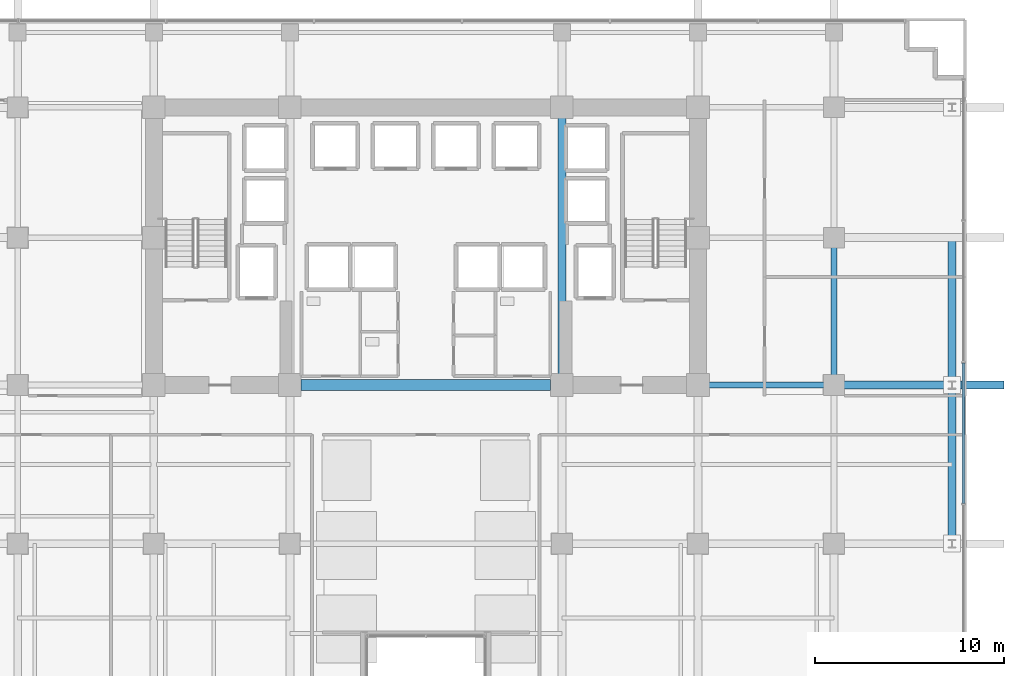
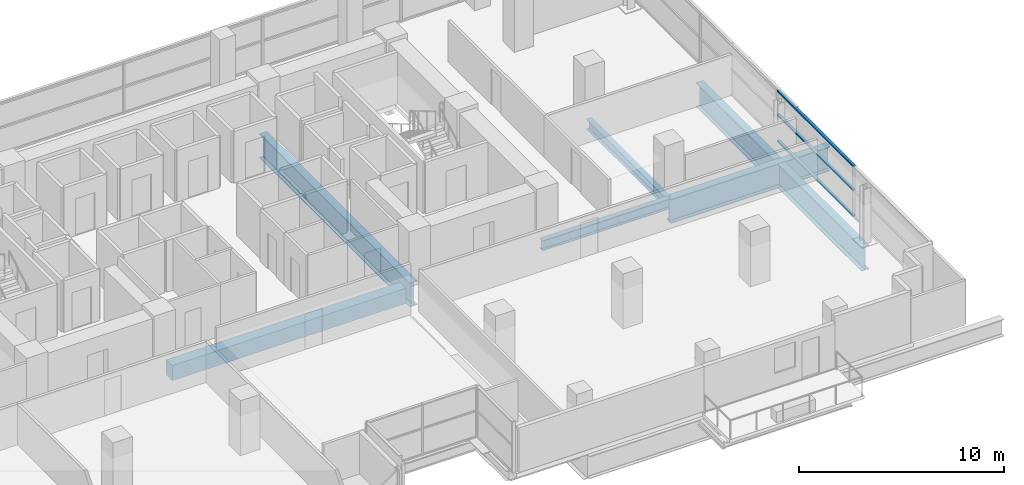
# One storey, part 14 of 32: 6 beams, 3 members, 1 element without a shape of its own.
"""IFC4 building model written with IfcOpenShell, lengths in metres."""

from ifc_helpers import new_model, si_unit, direction, frame, origin, origin_2d, place, context, subcontext, project, spatial, rectangle, hollow_rectangle, i_section, extrude, source, transform, mapped, material, layer, layer_set, material_profile, profile_set, type_object, element, aggregate, save


model = new_model("IFC4")

# Units and contexts
model_context = context("Model", 3, precision=1e-05, world=origin(), true_north=direction((0.0, 1.0)))
body_context = subcontext(model_context, "Body", "Model", "MODEL_VIEW")
ifc_project = project(units=[si_unit("LENGTHUNIT", "METRE"), si_unit("AREAUNIT", "SQUARE_METRE"), si_unit("VOLUMEUNIT", "CUBIC_METRE"), si_unit("PLANEANGLEUNIT", "RADIAN"), si_unit("MASSUNIT", "GRAM", prefix="KILO")], contexts=[model_context])

# Site, building, storey
site_placement = place(None, origin())
site = spatial("IfcSite", under=ifc_project, at=site_placement, CompositionType="ELEMENT")
building_placement = place(site_placement, origin())
building = spatial("IfcBuilding", under=site, at=building_placement, Name="Zarnakvel Exchange Tower", CompositionType="ELEMENT")
storey_placement = place(building_placement, frame((0.0, 0.0, 27.39990234375)))
storey = spatial("IfcBuildingStorey", under=building, at=storey_placement, Name="L06", CompositionType="ELEMENT", Elevation=27.39990234375)

# Beams
ifc_material_1 = material(Name="Concrete C80/95", Category="concrete")
ifc_material_profile_1 = material_profile(ifc_material_1, rectangle(XDim=0.60009765625, YDim=0.89990234375, at=origin_2d()))
ifc_profile_set_1 = profile_set([ifc_material_profile_1], Name="Concrete C80/95")
beam_type_1 = type_object("IfcBeamType", Name="CB-01", PredefinedType="LINTEL", material=ifc_profile_set_1)
beam_1_placement = place(storey_placement, frame((-6.60009765625, -1.199951171875, -0.699951171875), z_axis=(1.0, 0.0, 0.0), x_axis=(0.0, 1.0, 0.0)))
element("IfcBeam", 1, at=beam_1_placement, inside=storey, type_object=beam_type_1, Name="L06 Rear Core South Coupling Beam (CB-01)", PredefinedType="LINTEL", context=body_context, shape_type="SweptSolid", body=[
    extrude(rectangle(XDim=0.60009765625, YDim=0.89990234375, at=origin_2d()), origin(), (0.0, 0.0, 1.0), 13.2001953125),
])
ifc_material_2 = material(Name="Steel S355", Category="steel")
ifc_material_profile_2 = material_profile(ifc_material_2, i_section(OverallWidth=0.300048828125, OverallDepth=0.60009765625, WebThickness=0.015380859375, FlangeThickness=0.030029296875, FilletRadius=0.027099609375, at=origin_2d()))
ifc_profile_set_2 = profile_set([ifc_material_profile_2], Name="Steel S355")
beam_type_2 = type_object("IfcBeamType", Name="G-04", PredefinedType="BEAM", material=ifc_profile_set_2)
beam_2_placement = place(storey_placement, frame((14.39990234375, -1.199951171875, -0.5498046875), z_axis=(1.0, 0.0, 0.0), x_axis=(0.0, 1.0, 0.0)))
element("IfcBeam", 2, at=beam_2_placement, inside=storey, type_object=beam_type_2, Name="L06 Tower E-W Frame Beam", PredefinedType="BEAM", context=body_context, shape_type="SweptSolid", body=[
    extrude(i_section(OverallWidth=0.300048828125, OverallDepth=0.60009765625, WebThickness=0.015380859375, FlangeThickness=0.030029296875, FilletRadius=0.027099609375, at=origin_2d()), origin(), (0.0, 0.0, 1.0), 7.2001953125),
])
beam_3_placement = place(storey_placement, frame((21.60009765625, -1.199951171875, -0.5498046875), z_axis=(0.0, 1.0, 0.0), x_axis=(-1.0, 0.0, 0.0)))
element("IfcBeam", 3, at=beam_3_placement, inside=storey, type_object=beam_type_2, Name="L06 Tower N-S Frame Beam", PredefinedType="BEAM", context=body_context, shape_type="SweptSolid", body=[
    extrude(i_section(OverallWidth=0.300048828125, OverallDepth=0.60009765625, WebThickness=0.015380859375, FlangeThickness=0.030029296875, FilletRadius=0.027099609375, at=origin_2d()), origin(), (0.0, 0.0, 1.0), 7.800048828125),
])
ifc_material_3 = material(Name="Steel S460", Category="steel")
ifc_material_profile_3 = material_profile(ifc_material_3, i_section(OverallWidth=0.419921875, OverallDepth=1.449951171875, WebThickness=0.02392578125, FlangeThickness=0.0400390625, FilletRadius=0.030029296875, at=origin_2d()))
ifc_profile_set_3 = profile_set([ifc_material_profile_3], Name="Steel S460")
beam_type_3 = type_object("IfcBeamType", Name="TG-01", PredefinedType="BEAM", material=ifc_profile_set_3)
beam_4_placement = place(storey_placement, frame((21.60009765625, -1.199951171875, -0.974853515625), z_axis=(1.0, 0.0, 0.0), x_axis=(0.0, 1.0, 0.0)))
element("IfcBeam", 4, at=beam_4_placement, inside=storey, type_object=beam_type_3, Name="L06 Wing Transfer Girder East", PredefinedType="BEAM", context=body_context, shape_type="SweptSolid", body=[
    extrude(i_section(OverallWidth=0.419921875, OverallDepth=1.449951171875, WebThickness=0.02392578125, FlangeThickness=0.0400390625, FilletRadius=0.030029296875, at=origin_2d()), origin(), (0.0, 0.0, 1.0), 9.0),
])
beam_5_placement = place(storey_placement, frame((27.85009765625, -9.60009765625, -0.974853515625), z_axis=(0.0, 1.0, 0.0), x_axis=(-1.0, 0.0, 0.0)))
element("IfcBeam", 5, at=beam_5_placement, inside=storey, type_object=beam_type_3, Name="L06 East Wing N-S Column Transfer Girder", PredefinedType="BEAM", context=body_context, shape_type="SweptSolid", body=[
    extrude(i_section(OverallWidth=0.419921875, OverallDepth=1.449951171875, WebThickness=0.02392578125, FlangeThickness=0.0400390625, FilletRadius=0.030029296875, at=origin_2d()), origin(), (0.0, 0.0, 1.0), 16.2001953125),
])
beam_6_placement = place(storey_placement, frame((7.199951171875, -1.199951171875, -0.974853515625), z_axis=(0.0, 1.0, 0.0), x_axis=(-1.0, 0.0, 0.0)))
element("IfcBeam", 6, at=beam_6_placement, inside=storey, type_object=beam_type_3, Name="L06 North Backspan Transfer TN-8", PredefinedType="BEAM", context=body_context, shape_type="SweptSolid", body=[
    extrude(i_section(OverallWidth=0.419921875, OverallDepth=1.449951171875, WebThickness=0.02392578125, FlangeThickness=0.0400390625, FilletRadius=0.030029296875, at=origin_2d()), origin(), (0.0, 0.0, 1.0), 14.699951171875),
])

# Curtain wall, members
ifc_material_4 = material(Name="Architectural Bronze Anodised Aluminium", Category="aluminium")
ifc_layer = layer(ifc_material_4, 0.199951171875)
ifc_layer_set = layer_set([ifc_layer], Name="Architectural Bronze Anodised Aluminium")
curtain_wall_type = type_object("IfcCurtainWallType", Name="CW-04", PredefinedType="NOTDEFINED", material=ifc_layer_set)
curtain_wall_placement = place(storey_placement, origin())
curtain_wall = element("IfcCurtainWall", 7, at=curtain_wall_placement, inside=storey, type_object=curtain_wall_type, Name="L06 Curtain Wall CW-L06-E1 (CW-04)", PredefinedType="NOTDEFINED")
ifc_material_profile_4 = material_profile(ifc_material_4, hollow_rectangle(XDim=0.159912109375, YDim=0.074951171875, WallThickness=0.00390625, at=origin_2d()))
ifc_profile_set_4 = profile_set([ifc_material_profile_4], Name="Architectural Bronze Anodised Aluminium")
member_type = type_object("IfcMemberType", Name="CWT-04", PredefinedType="USERDEFINED", material=ifc_profile_set_4)
shared_shape = source(origin(), body_context, "Body", "SweptSolid", [
    extrude(hollow_rectangle(XDim=0.159912109375, YDim=0.074951171875, WallThickness=0.00390625, at=origin_2d()), origin(), (0.0, 0.0, 1.0), 7.4248046875),
])
member_1_placement = place(storey_placement, frame((28.4599609375, -7.46240234375, 0.03759765625), z_axis=(0.0, 1.0, 0.0), x_axis=(-1.0, 0.0, 0.0)))
member_1 = element("IfcMember", 8, at=member_1_placement, type_object=member_type, Name="CW-04 transom 2.1", ObjectType="TRANSOM", PredefinedType="USERDEFINED", context=body_context, shape_type="MappedRepresentation", body=[
    mapped(shared_shape, transform((0.0, 0.0, 0.0), x_axis=(1.0, 0.0, 0.0), y_axis=(0.0, 1.0, 0.0), z_axis=(0.0, 0.0, 1.0), scale=1.0)),
])
member_2_placement = place(storey_placement, frame((28.4599609375, -7.46240234375, 1.588623046875), z_axis=(0.0, 1.0, 0.0), x_axis=(-1.0, 0.0, 0.0)))
member_2 = element("IfcMember", 9, at=member_2_placement, type_object=member_type, Name="CW-04 transom 2.2", ObjectType="TRANSOM", PredefinedType="USERDEFINED", context=body_context, shape_type="MappedRepresentation", body=[
    mapped(shared_shape, transform((0.0, 0.0, 0.0), x_axis=(1.0, 0.0, 0.0), y_axis=(0.0, 1.0, 0.0), z_axis=(0.0, 0.0, 1.0), scale=1.0)),
])
member_3_placement = place(storey_placement, frame((28.4599609375, -7.46240234375, 3.017578125), z_axis=(0.0, 1.0, 0.0), x_axis=(-1.0, 0.0, 0.0)))
member_3 = element("IfcMember", 10, at=member_3_placement, type_object=member_type, Name="CW-04 transom 2.3", ObjectType="TRANSOM", PredefinedType="USERDEFINED", context=body_context, shape_type="MappedRepresentation", body=[
    mapped(shared_shape, transform((0.0, 0.0, 0.0), x_axis=(1.0, 0.0, 0.0), y_axis=(0.0, 1.0, 0.0), z_axis=(0.0, 0.0, 1.0), scale=1.0)),
])
aggregate(curtain_wall, [member_1, member_2, member_3])

save(model, "model.ifc")
